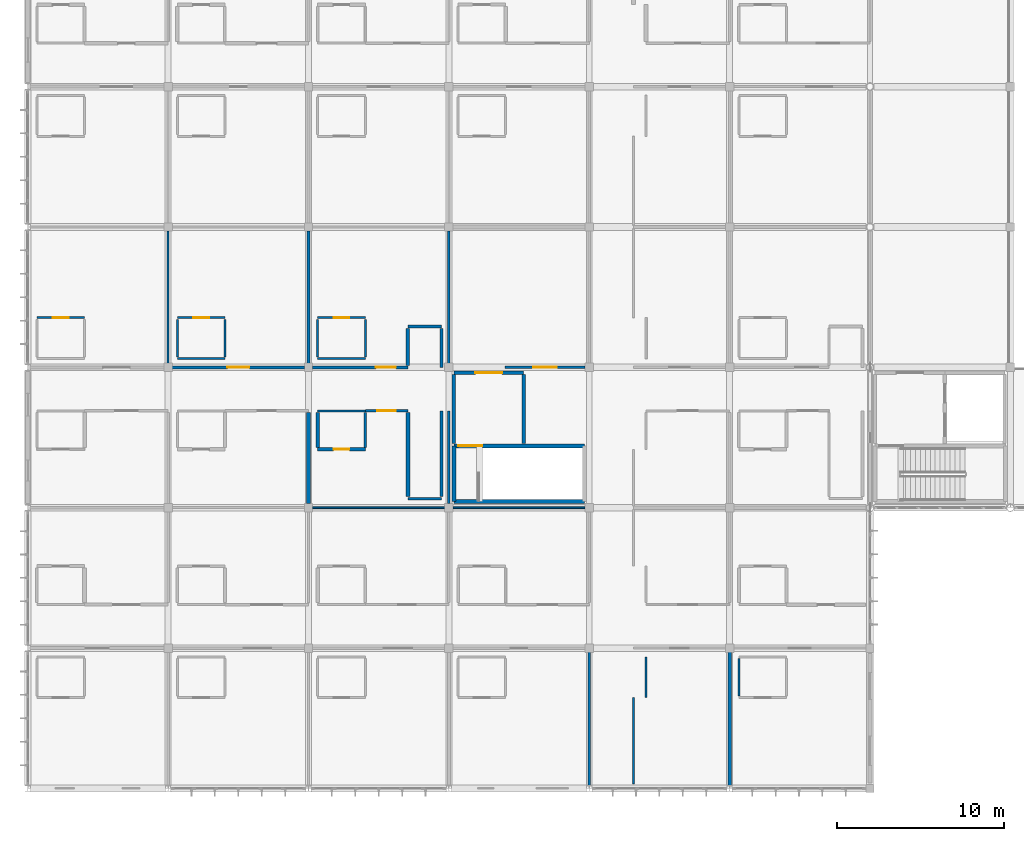
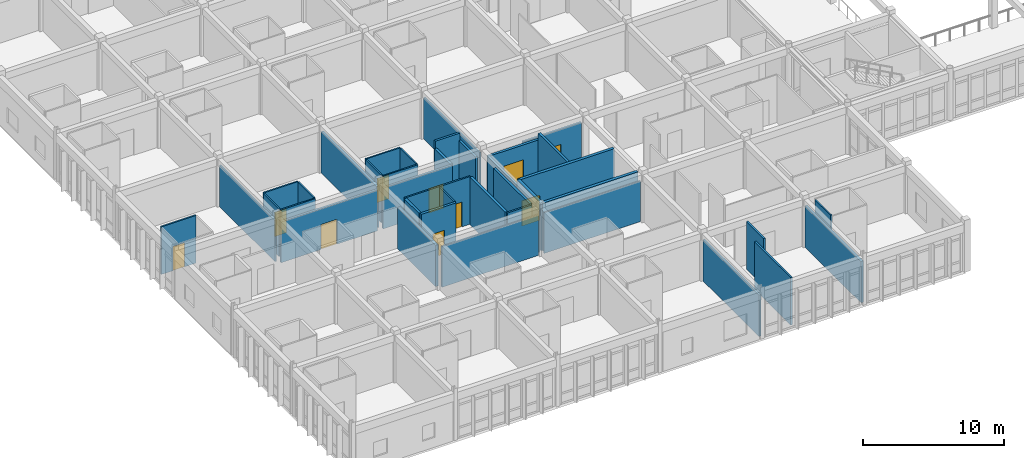
# One storey, part 97 of 144: 41 walls, 10 doors, 10 openings.
"""IFC4 building model written with IfcOpenShell, lengths in metres."""

from ifc_helpers import new_model, si_unit, direction, frame, frame_2d, origin, place, context, subcontext, project, spatial, rectangle, extrude, material, layer, layer_set, type_object, element, fill, save


model = new_model("IFC4")

# Units and contexts
model_context = context("Model", 3, precision=1e-05, world=origin(), true_north=direction((0.0, 1.0)))
body_context = subcontext(model_context, "Body", "Model", "MODEL_VIEW")
ifc_project = project(units=[si_unit("LENGTHUNIT", "METRE"), si_unit("AREAUNIT", "SQUARE_METRE"), si_unit("VOLUMEUNIT", "CUBIC_METRE"), si_unit("PLANEANGLEUNIT", "RADIAN"), si_unit("MASSUNIT", "GRAM", prefix="KILO")], contexts=[model_context])

# Site, building, storey
site_placement = place(None, origin())
site = spatial("IfcSite", under=ifc_project, at=site_placement, CompositionType="ELEMENT")
building_placement = place(site_placement, origin())
building = spatial("IfcBuilding", under=site, at=building_placement, Name="Bramfleet General Hospital", CompositionType="ELEMENT")
storey_placement = place(building_placement, frame((0.0, 0.0, 4.800048828125)))
storey = spatial("IfcBuildingStorey", under=building, at=storey_placement, Name="L01", CompositionType="ELEMENT", Elevation=4.800048828125)

# Walls
ifc_material_1 = material(Name="Concrete C35/45", Category="concrete")
ifc_layer_1 = layer(ifc_material_1, 0.219970703125, Name="WT-IW-01")
ifc_layer_set_1 = layer_set([ifc_layer_1], Name="Concrete C35/45")
wall_type_1 = type_object("IfcWallType", Name="WT-IW-01", PredefinedType="PARTITIONING", material=ifc_layer_set_1)
wall_1_placement = place(storey_placement, frame((16.800048828125, 17.044921875, 0.0), z_axis=(0.0, 0.0, 1.0), x_axis=(0.0, 1.0, 0.0)))
element("IfcWall", 1, at=wall_1_placement, inside=storey, type_object=wall_type_1, Name="L01 Interior Partition IW-L01-1621", PredefinedType="PARTITIONING", context=body_context, shape_type="SweptSolid", body=[
    extrude(rectangle(XDim=5.440185546875, YDim=0.219970703125, at=frame_2d((2.72021484375, 0.0))), origin(), (0.0, 0.0, 1.0), 3.58984375),
])
wall_2_placement = place(storey_placement, frame((22.75, 17.465087890625, 0.0), z_axis=(0.0, 0.0, 1.0), x_axis=(0.0, 1.0, 0.0)))
element("IfcWall", 2, at=wall_2_placement, inside=storey, type_object=wall_type_1, Name="L01 Interior Partition IW-L01-1645", PredefinedType="PARTITIONING", context=body_context, shape_type="SweptSolid", body=[
    extrude(rectangle(XDim=5.02001953125, YDim=0.219970703125, at=frame_2d((2.510009765625, 0.0))), origin(), (0.0, 0.0, 1.0), 4.139892578125),
])
ifc_layer_2 = layer(ifc_material_1, 0.205078125, Name="WT-IW-02")
ifc_layer_set_2 = layer_set([ifc_layer_2], Name="Concrete C35/45")
wall_type_2 = type_object("IfcWallType", Name="WT-IW-02", PredefinedType="PARTITIONING", material=ifc_layer_set_2)
wall_3_placement = place(storey_placement, frame((29.679931640625, 20.639892578125, 0.0), z_axis=(0.0, 0.0, 1.0), x_axis=(0.0, 1.0, 0.0)))
element("IfcWall", 3, at=wall_3_placement, inside=storey, type_object=wall_type_2, Name="L01 C7 Lobby East Shaft Wall", PredefinedType="PARTITIONING", context=body_context, shape_type="SweptSolid", body=[
    extrude(rectangle(XDim=4.1201171875, YDim=0.205078125, at=frame_2d((2.06005859375, 0.0))), origin(), (0.0, 0.0, 1.0), 4.139892578125),
])
wall_4_placement = place(storey_placement, frame((25.5, 20.639892578125, 0.0), z_axis=(0.0, 0.0, 1.0), x_axis=(0.0, 1.0, 0.0)))
element("IfcWall", 4, at=wall_4_placement, inside=storey, type_object=wall_type_2, Name="L01 C7 Lobby West Compartment Wall", PredefinedType="PARTITIONING", context=body_context, shape_type="SweptSolid", body=[
    extrude(rectangle(XDim=4.1201171875, YDim=0.205078125, at=frame_2d((2.06005859375, 0.0))), origin(), (0.0, 0.0, 1.0), 3.58984375),
])

# Wall, opening, door
wall_5_placement = place(storey_placement, frame((25.5, 24.8798828125, 0.0), z_axis=(0.0, 0.0, 1.0), x_axis=(1.0, 0.0, 0.0)))
wall_5 = element("IfcWall", 5, at=wall_5_placement, inside=storey, type_object=wall_type_2, Name="L01 C7 Lobby North Compartment Wall", PredefinedType="PARTITIONING", context=body_context, shape_type="SweptSolid", body=[
    extrude(rectangle(XDim=4.179931640625, YDim=0.205078125, at=frame_2d((2.08984375, 0.0))), origin(), (0.0, 0.0, 1.0), 3.5400390625),
])
opening_1_placement = place(wall_5_placement, frame((1.2900390625, 0.0, 0.0)))
opening_1 = element("IfcOpeningElement", 6, at=opening_1_placement, cuts=wall_5, Name="Opening D0096", PredefinedType="OPENING", context=body_context, shape_type="SweptSolid", body=[
    extrude(rectangle(XDim=1.60009765625, YDim=2.25, at=frame_2d((0.800048828125, 1.125))), frame((0.0, 0.112548828125, 0.0), z_axis=(0.0, -1.0, 0.0), x_axis=(1.0, 0.0, 0.0)), (0.0, 0.0, 1.0), 0.22509765625),
])
ifc_material_2 = material(Name="Stainless steel and acoustic timber leaf", Category="steel")
door_type_1 = type_object("IfcDoorType", Name="DR-D-04", OperationType="NOTDEFINED", PredefinedType="DOOR", material=ifc_material_2)
door_1_placement = place(opening_1_placement, origin())
door_1 = element("IfcDoor", 7, at=door_1_placement, inside=storey, type_object=door_type_1, Name="L01 C7 Lobby Fire Door D0096", OperationType="DOUBLE_SWING_LEFT", OverallHeight=2.25, OverallWidth=1.60009765625, PredefinedType="DOOR", context=body_context, shape_type="SweptSolid", body=[
    extrude(rectangle(XDim=1.60009765625, YDim=2.25, at=frame_2d((0.800048828125, 1.125))), frame((0.0, 0.02490234375, 0.0), z_axis=(0.0, -1.0, 0.0), x_axis=(1.0, 0.0, 0.0)), (0.0, 0.0, 1.0), 0.050048828125),
])
fill(opening_1, door_1)

wall_6_placement = place(storey_placement, frame((17.35009765625, 20.300048828125, 0.0), z_axis=(0.0, 0.0, 1.0), x_axis=(1.0, 0.0, 0.0)))
wall_6 = element("IfcWall", 8, at=wall_6_placement, inside=storey, type_object=wall_type_2, Name="L01 Interior Partition IW-L01-1286", PredefinedType="PARTITIONING", context=body_context, shape_type="SweptSolid", body=[
    extrude(rectangle(XDim=2.849853515625, YDim=0.205078125, at=frame_2d((1.4248046875, 0.0))), origin(), (0.0, 0.0, 1.0), 4.139892578125),
])
opening_2_placement = place(wall_6_placement, frame((0.949951171875, 0.0, 0.0)))
opening_2 = element("IfcOpeningElement", 9, at=opening_2_placement, cuts=wall_6, Name="Opening D0652", PredefinedType="OPENING", context=body_context, shape_type="SweptSolid", body=[
    extrude(rectangle(XDim=0.949951171875, YDim=2.10009765625, at=frame_2d((0.47509765625, 1.050048828125))), frame((0.0, 0.112548828125, 0.0), z_axis=(0.0, -1.0, 0.0), x_axis=(1.0, 0.0, 0.0)), (0.0, 0.0, 1.0), 0.22509765625),
])
door_type_2 = type_object("IfcDoorType", Name="DR-D-10", OperationType="NOTDEFINED", PredefinedType="DOOR", material=ifc_material_2)
door_2_placement = place(opening_2_placement, origin())
door_2 = element("IfcDoor", 10, at=door_2_placement, inside=storey, type_object=door_type_2, Name="Observation En-Suite Bathroom L01-0202 Door D0652", OperationType="SINGLE_SWING_LEFT", OverallHeight=2.10009765625, OverallWidth=0.949951171875, PredefinedType="DOOR", context=body_context, shape_type="SweptSolid", body=[
    extrude(rectangle(XDim=0.949951171875, YDim=2.10009765625, at=frame_2d((0.47509765625, 1.050048828125))), frame((0.0, 0.02490234375, 0.0), z_axis=(0.0, -1.0, 0.0), x_axis=(1.0, 0.0, 0.0)), (0.0, 0.0, 1.0), 0.050048828125),
])
fill(opening_2, door_2)

# Walls
wall_7_placement = place(storey_placement, frame((16.800048828125, 25.445068359375, 0.0), z_axis=(0.0, 0.0, 1.0), x_axis=(0.0, 1.0, 0.0)))
element("IfcWall", 11, at=wall_7_placement, inside=storey, type_object=wall_type_2, Name="L01 Interior Partition IW-L01-1622", PredefinedType="PARTITIONING", context=body_context, shape_type="SweptSolid", body=[
    extrude(rectangle(XDim=7.909912109375, YDim=0.205078125, at=frame_2d((3.955078125, 0.0))), origin(), (0.0, 0.0, 1.0), 3.58984375),
])
wall_8_placement = place(storey_placement, frame((22.75, 25.31494140625, 0.0), z_axis=(0.0, 0.0, 1.0), x_axis=(0.0, 1.0, 0.0)))
element("IfcWall", 12, at=wall_8_placement, inside=storey, type_object=wall_type_2, Name="L01 Interior Partition IW-L01-1646", PredefinedType="PARTITIONING", context=body_context, shape_type="SweptSolid", body=[
    extrude(rectangle(XDim=2.219970703125, YDim=0.205078125, at=frame_2d((1.10986328125, 0.0))), origin(), (0.0, 0.0, 1.0), 3.5400390625),
])
wall_9_placement = place(storey_placement, frame((42.0, 0.175048828125, 0.0), z_axis=(0.0, 0.0, 1.0), x_axis=(0.0, 1.0, 0.0)))
element("IfcWall", 13, at=wall_9_placement, inside=storey, type_object=wall_type_2, Name="L01 Interior Partition IW-L01-1706", PredefinedType="PARTITIONING", context=body_context, shape_type="SweptSolid", body=[
    extrude(rectangle(XDim=7.97998046875, YDim=0.205078125, at=frame_2d((3.989990234375, 0.0))), origin(), (0.0, 0.0, 1.0), 3.58984375),
])
ifc_layer_3 = layer(ifc_material_1, 0.18994140625, Name="WT-IW-03")
ifc_layer_set_3 = layer_set([ifc_layer_3], Name="Concrete C35/45")
wall_type_3 = type_object("IfcWallType", Name="WT-IW-03", PredefinedType="PARTITIONING", material=ifc_layer_set_3)
wall_10_placement = place(storey_placement, frame((17.35009765625, 20.4150390625, 0.0), z_axis=(0.0, 0.0, 1.0), x_axis=(0.0, 1.0, 0.0)))
element("IfcWall", 14, at=wall_10_placement, inside=storey, type_object=wall_type_3, Name="L01 Interior Partition IW-L01-1635", PredefinedType="PARTITIONING", context=body_context, shape_type="SweptSolid", body=[
    extrude(rectangle(XDim=2.070068359375, YDim=0.18994140625, at=frame_2d((1.03515625, 0.0))), origin(), (0.0, 0.0, 1.0), 4.139892578125),
])
wall_11_placement = place(storey_placement, frame((24.75, 17.465087890625, 0.0), z_axis=(0.0, 0.0, 1.0), x_axis=(0.0, 1.0, 0.0)))
element("IfcWall", 15, at=wall_11_placement, inside=storey, type_object=wall_type_3, Name="L01 Interior Partition IW-L01-1647", PredefinedType="PARTITIONING", context=body_context, shape_type="SweptSolid", body=[
    extrude(rectangle(XDim=5.135009765625, YDim=0.18994140625, at=frame_2d((2.5673828125, 0.0))), origin(), (0.0, 0.0, 1.0), 4.139892578125),
])

# Wall, opening, door
ifc_layer_4 = layer(ifc_material_1, 0.179931640625, Name="WT-IW-04")
ifc_layer_set_4 = layer_set([ifc_layer_4], Name="Concrete C35/45")
wall_type_4 = type_object("IfcWallType", Name="WT-IW-04", PredefinedType="PARTITIONING", material=ifc_layer_set_4)
wall_12_placement = place(storey_placement, frame((8.64501953125, 25.199951171875, 0.0), z_axis=(0.0, 0.0, 1.0), x_axis=(1.0, 0.0, 0.0)))
wall_12 = element("IfcWall", 16, at=wall_12_placement, inside=storey, type_object=wall_type_4, Name="L01 Interior Partition IW-L01-1312", PredefinedType="PARTITIONING", context=body_context, shape_type="SweptSolid", body=[
    extrude(rectangle(XDim=7.909912109375, YDim=0.179931640625, at=frame_2d((3.955078125, 0.0))), origin(), (0.0, 0.0, 1.0), 3.5400390625),
])
opening_3_placement = place(wall_12_placement, frame((3.294921875, 0.0, 0.0)))
opening_3 = element("IfcOpeningElement", 17, at=opening_3_placement, cuts=wall_12, Name="Opening D0632", PredefinedType="OPENING", context=body_context, shape_type="SweptSolid", body=[
    extrude(rectangle(XDim=1.320068359375, YDim=2.179931640625, at=frame_2d((0.66015625, 1.08984375))), frame((0.0, 0.099853515625, 0.0), z_axis=(0.0, -1.0, 0.0), x_axis=(1.0, 0.0, 0.0)), (0.0, 0.0, 1.0), 0.199951171875),
])
door_type_3 = type_object("IfcDoorType", Name="DR-D-24", OperationType="NOTDEFINED", PredefinedType="DOOR", material=ifc_material_2)
door_3_placement = place(opening_3_placement, origin())
door_3 = element("IfcDoor", 18, at=door_3_placement, inside=storey, type_object=door_type_3, Name="Emergency Observation Ward Room L01-0103 Door D0632", OperationType="SINGLE_SWING_LEFT", OverallHeight=2.179931640625, OverallWidth=1.320068359375, PredefinedType="DOOR", context=body_context, shape_type="SweptSolid", body=[
    extrude(rectangle(XDim=1.320068359375, YDim=2.179931640625, at=frame_2d((0.66015625, 1.08984375))), frame((0.0, 0.02490234375, 0.0), z_axis=(0.0, -1.0, 0.0), x_axis=(1.0, 0.0, 0.0)), (0.0, 0.0, 1.0), 0.050048828125),
])
fill(opening_3, door_3)

# Walls
wall_13_placement = place(storey_placement, frame((22.75, 27.64990234375, 0.0), z_axis=(0.0, 0.0, 1.0), x_axis=(1.0, 0.0, 0.0)))
element("IfcWall", 19, at=wall_13_placement, inside=storey, type_object=wall_type_4, Name="L01 Interior Partition IW-L01-1324", PredefinedType="PARTITIONING", context=body_context, shape_type="SweptSolid", body=[
    extrude(rectangle(XDim=2.0, YDim=0.179931640625, at=frame_2d((1.0, 0.0))), origin(), (0.0, 0.0, 1.0), 4.139892578125),
])
wall_14_placement = place(storey_placement, frame((24.75, 25.199951171875, 0.0), z_axis=(0.0, 0.0, 1.0), x_axis=(0.0, 1.0, 0.0)))
element("IfcWall", 20, at=wall_14_placement, inside=storey, type_object=wall_type_4, Name="L01 Interior Partition IW-L01-1648", PredefinedType="PARTITIONING", context=body_context, shape_type="SweptSolid", body=[
    extrude(rectangle(XDim=2.3349609375, YDim=0.179931640625, at=frame_2d((1.16748046875, 0.0))), origin(), (0.0, 0.0, 1.0), 3.5400390625),
])

# Wall, opening, door
ifc_material_3 = material(Name="Gypsum plasterboard on acoustic steel studs", Category="steel")
ifc_layer_5 = layer(ifc_material_3, 0.169921875, Name="WT-IW-05")
ifc_layer_set_5 = layer_set([ifc_layer_5], Name="Gypsum plasterboard on acoustic steel studs")
wall_type_5 = type_object("IfcWallType", Name="WT-IW-05", PredefinedType="PARTITIONING", material=ifc_layer_set_5)
wall_15_placement = place(storey_placement, frame((17.044921875, 25.199951171875, 0.0), z_axis=(0.0, 0.0, 1.0), x_axis=(1.0, 0.0, 0.0)))
wall_15 = element("IfcWall", 21, at=wall_15_placement, inside=storey, type_object=wall_type_5, Name="L01 Interior Partition IW-L01-1313", PredefinedType="PARTITIONING", context=body_context, shape_type="SweptSolid", body=[
    extrude(rectangle(XDim=5.705078125, YDim=0.169921875, at=frame_2d((2.8525390625, 0.0))), origin(), (0.0, 0.0, 1.0), 3.5400390625),
])
opening_4_placement = place(wall_15_placement, frame((3.78271484375, 0.0, 0.0)))
opening_4 = element("IfcOpeningElement", 22, at=opening_4_placement, cuts=wall_15, Name="Opening D0653", PredefinedType="OPENING", context=body_context, shape_type="SweptSolid", body=[
    extrude(rectangle(XDim=1.199951171875, YDim=2.14990234375, at=frame_2d((0.60009765625, 1.074951171875))), frame((0.0, 0.094970703125, 0.0), z_axis=(0.0, -1.0, 0.0), x_axis=(1.0, 0.0, 0.0)), (0.0, 0.0, 1.0), 0.18994140625),
])
door_type_4 = type_object("IfcDoorType", Name="DR-D-13", OperationType="NOTDEFINED", PredefinedType="DOOR", material=ifc_material_2)
door_4_placement = place(opening_4_placement, origin())
door_4 = element("IfcDoor", 23, at=door_4_placement, inside=storey, type_object=door_type_4, Name="Emergency Observation Ward Room L01-0203 Door D0653", OperationType="SINGLE_SWING_RIGHT", OverallHeight=2.14990234375, OverallWidth=1.199951171875, PredefinedType="DOOR", context=body_context, shape_type="SweptSolid", body=[
    extrude(rectangle(XDim=1.199951171875, YDim=2.14990234375, at=frame_2d((0.60009765625, 1.074951171875))), frame((0.0, 0.02490234375, 0.0), z_axis=(0.0, -1.0, 0.0), x_axis=(1.0, 0.0, 0.0)), (0.0, 0.0, 1.0), 0.050048828125),
])
fill(opening_4, door_4)

ifc_layer_6 = layer(ifc_material_3, 0.159912109375, Name="WT-IW-06")
ifc_layer_set_6 = layer_set([ifc_layer_6], Name="Gypsum plasterboard on acoustic steel studs")
wall_type_6 = type_object("IfcWallType", Name="WT-IW-06", PredefinedType="PARTITIONING", material=ifc_layer_set_6)
wall_16_placement = place(storey_placement, frame((28.550048828125, 25.199951171875, 0.0), z_axis=(0.0, 0.0, 1.0), x_axis=(1.0, 0.0, 0.0)))
wall_16 = element("IfcWall", 24, at=wall_16_placement, inside=storey, type_object=wall_type_6, Name="L01 Interior Partition IW-L01-1314", PredefinedType="PARTITIONING", context=body_context, shape_type="SweptSolid", body=[
    extrude(rectangle(XDim=4.804931640625, YDim=0.159912109375, at=frame_2d((2.40234375, 0.0))), origin(), (0.0, 0.0, 1.0), 3.5400390625),
])
opening_5_placement = place(wall_16_placement, frame((1.71240234375, 0.0, 0.0)))
opening_5 = element("IfcOpeningElement", 25, at=opening_5_placement, cuts=wall_16, Name="Opening D0670", PredefinedType="OPENING", context=body_context, shape_type="SweptSolid", body=[
    extrude(rectangle(XDim=1.3798828125, YDim=2.219970703125, at=frame_2d((0.68994140625, 1.10986328125))), frame((0.0, 0.08984375, 0.0), z_axis=(0.0, -1.0, 0.0), x_axis=(1.0, 0.0, 0.0)), (0.0, 0.0, 1.0), 0.179931640625),
])
door_type_5 = type_object("IfcDoorType", Name="DR-D-30", OperationType="NOTDEFINED", PredefinedType="DOOR", material=ifc_material_2)
door_5_placement = place(opening_5_placement, origin())
door_5 = element("IfcDoor", 26, at=door_5_placement, inside=storey, type_object=door_type_5, Name="Emergency Observation Ward Room L01-0303 Door D0670", OperationType="SINGLE_SWING_LEFT", OverallHeight=2.219970703125, OverallWidth=1.3798828125, PredefinedType="DOOR", context=body_context, shape_type="SweptSolid", body=[
    extrude(rectangle(XDim=1.3798828125, YDim=2.219970703125, at=frame_2d((0.68994140625, 1.10986328125))), frame((0.0, 0.02490234375, 0.0), z_axis=(0.0, -1.0, 0.0), x_axis=(1.0, 0.0, 0.0)), (0.0, 0.0, 1.0), 0.050048828125),
])
fill(opening_5, door_5)

# Walls
wall_17_placement = place(storey_placement, frame((33.60009765625, 0.175048828125, 0.0), z_axis=(0.0, 0.0, 1.0), x_axis=(0.0, 1.0, 0.0)))
element("IfcWall", 27, at=wall_17_placement, inside=storey, type_object=wall_type_6, Name="L01 Interior Partition IW-L01-1674", PredefinedType="PARTITIONING", context=body_context, shape_type="SweptSolid", body=[
    extrude(rectangle(XDim=7.97998046875, YDim=0.159912109375, at=frame_2d((3.989990234375, 0.0))), origin(), (0.0, 0.0, 1.0), 3.58984375),
])
ifc_layer_7 = layer(ifc_material_3, 0.14990234375, Name="WT-IW-07")
ifc_layer_set_7 = layer_set([ifc_layer_7], Name="Gypsum plasterboard on acoustic steel studs")
wall_type_7 = type_object("IfcWallType", Name="WT-IW-07", PredefinedType="PARTITIONING", material=ifc_layer_set_7)
wall_18_placement = place(storey_placement, frame((22.75, 17.35009765625, 0.0), z_axis=(0.0, 0.0, 1.0), x_axis=(1.0, 0.0, 0.0)))
element("IfcWall", 28, at=wall_18_placement, inside=storey, type_object=wall_type_7, Name="L01 Interior Partition IW-L01-1279", PredefinedType="PARTITIONING", context=body_context, shape_type="SweptSolid", body=[
    extrude(rectangle(XDim=2.0, YDim=0.14990234375, at=frame_2d((1.0, 0.0))), origin(), (0.0, 0.0, 1.0), 4.139892578125),
])
wall_19_placement = place(storey_placement, frame((25.199951171875, 17.044921875, 0.0), z_axis=(0.0, 0.0, 1.0), x_axis=(0.0, 1.0, 0.0)))
element("IfcWall", 29, at=wall_19_placement, inside=storey, type_object=wall_type_7, Name="L01 Interior Partition IW-L01-1651", PredefinedType="PARTITIONING", context=body_context, shape_type="SweptSolid", body=[
    extrude(rectangle(XDim=5.55517578125, YDim=0.14990234375, at=frame_2d((2.777587890625, 0.0))), origin(), (0.0, 0.0, 1.0), 3.58984375),
])
ifc_layer_8 = layer(ifc_material_3, 0.139892578125, Name="WT-IW-08")
ifc_layer_set_8 = layer_set([ifc_layer_8], Name="Gypsum plasterboard on acoustic steel studs")
wall_type_8 = type_object("IfcWallType", Name="WT-IW-08", PredefinedType="PARTITIONING", material=ifc_layer_set_8)
wall_20_placement = place(storey_placement, frame((25.199951171875, 25.445068359375, 0.0), z_axis=(0.0, 0.0, 1.0), x_axis=(0.0, 1.0, 0.0)))
element("IfcWall", 30, at=wall_20_placement, inside=storey, type_object=wall_type_8, Name="L01 Interior Partition IW-L01-1652", PredefinedType="PARTITIONING", context=body_context, shape_type="SweptSolid", body=[
    extrude(rectangle(XDim=7.909912109375, YDim=0.139892578125, at=frame_2d((3.955078125, 0.0))), origin(), (0.0, 0.0, 1.0), 3.58984375),
])
wall_21_placement = place(storey_placement, frame((36.25, 0.280029296875, 0.0), z_axis=(0.0, 0.0, 1.0), x_axis=(0.0, 1.0, 0.0)))
element("IfcWall", 31, at=wall_21_placement, inside=storey, type_object=wall_type_8, Name="L01 Interior Partition IW-L01-1688", PredefinedType="PARTITIONING", context=body_context, shape_type="SweptSolid", body=[
    extrude(rectangle(XDim=5.14990234375, YDim=0.139892578125, at=frame_2d((2.574951171875, 0.0))), origin(), (0.0, 0.0, 1.0), 4.139892578125),
])
wall_22_placement = place(storey_placement, frame((37.0, 5.429931640625, 0.0), z_axis=(0.0, 0.0, 1.0), x_axis=(0.0, 1.0, 0.0)))
element("IfcWall", 32, at=wall_22_placement, inside=storey, type_object=wall_type_8, Name="L01 Interior Partition IW-L01-1700", PredefinedType="PARTITIONING", context=body_context, shape_type="SweptSolid", body=[
    extrude(rectangle(XDim=2.449951171875, YDim=0.139892578125, at=frame_2d((1.22509765625, 0.0))), origin(), (0.0, 0.0, 1.0), 4.139892578125),
])

# Wall, opening, door
ifc_layer_9 = layer(ifc_material_3, 0.1298828125, Name="WT-IW-09")
ifc_layer_set_9 = layer_set([ifc_layer_9], Name="Gypsum plasterboard on acoustic steel studs")
wall_type_9 = type_object("IfcWallType", Name="WT-IW-09", PredefinedType="PARTITIONING", material=ifc_layer_set_9)
wall_23_placement = place(storey_placement, frame((20.199951171875, 22.60009765625, 0.0), z_axis=(0.0, 0.0, 1.0), x_axis=(1.0, 0.0, 0.0)))
wall_23 = element("IfcWall", 33, at=wall_23_placement, inside=storey, type_object=wall_type_9, Name="L01 Interior Partition IW-L01-1293", PredefinedType="PARTITIONING", context=body_context, shape_type="SweptSolid", body=[
    extrude(rectangle(XDim=2.550048828125, YDim=0.1298828125, at=frame_2d((1.27490234375, 0.0))), origin(), (0.0, 0.0, 1.0), 4.139892578125),
])
opening_6_placement = place(wall_23_placement, frame((0.72509765625, 0.0, 0.0)))
opening_6 = element("IfcOpeningElement", 34, at=opening_6_placement, cuts=wall_23, Name="Opening D0651", PredefinedType="OPENING", context=body_context, shape_type="SweptSolid", body=[
    extrude(rectangle(XDim=1.10009765625, YDim=2.14990234375, at=frame_2d((0.550048828125, 1.074951171875))), frame((0.0, 0.074951171875, 0.0), z_axis=(0.0, -1.0, 0.0), x_axis=(1.0, 0.0, 0.0)), (0.0, 0.0, 1.0), 0.14990234375),
])
door_type_6 = type_object("IfcDoorType", Name="DR-D-11", OperationType="NOTDEFINED", PredefinedType="DOOR", material=ifc_material_2)
door_6_placement = place(opening_6_placement, origin())
door_6 = element("IfcDoor", 35, at=door_6_placement, inside=storey, type_object=door_type_6, Name="Emergency Observation Ward Room L01-0202 Door D0651", OperationType="SINGLE_SWING_RIGHT", OverallHeight=2.14990234375, OverallWidth=1.10009765625, PredefinedType="DOOR", context=body_context, shape_type="SweptSolid", body=[
    extrude(rectangle(XDim=1.10009765625, YDim=2.14990234375, at=frame_2d((0.550048828125, 1.074951171875))), frame((0.0, 0.02490234375, 0.0), z_axis=(0.0, -1.0, 0.0), x_axis=(1.0, 0.0, 0.0)), (0.0, 0.0, 1.0), 0.050048828125),
])
fill(opening_6, door_6)

# Walls
wall_24_placement = place(storey_placement, frame((8.39990234375, 25.445068359375, 0.0), z_axis=(0.0, 0.0, 1.0), x_axis=(0.0, 1.0, 0.0)))
element("IfcWall", 36, at=wall_24_placement, inside=storey, type_object=wall_type_9, Name="L01 Interior Partition IW-L01-1593", PredefinedType="PARTITIONING", context=body_context, shape_type="SweptSolid", body=[
    extrude(rectangle(XDim=7.909912109375, YDim=0.1298828125, at=frame_2d((3.955078125, 0.0))), origin(), (0.0, 0.0, 1.0), 3.58984375),
])
wall_25_placement = place(storey_placement, frame((20.199951171875, 20.4150390625, 0.0), z_axis=(0.0, 0.0, 1.0), x_axis=(0.0, 1.0, 0.0)))
element("IfcWall", 37, at=wall_25_placement, inside=storey, type_object=wall_type_9, Name="L01 Interior Partition IW-L01-1641", PredefinedType="PARTITIONING", context=body_context, shape_type="SweptSolid", body=[
    extrude(rectangle(XDim=2.070068359375, YDim=0.1298828125, at=frame_2d((1.03515625, 0.0))), origin(), (0.0, 0.0, 1.0), 4.139892578125),
])
ifc_layer_10 = layer(ifc_material_3, 0.1201171875, Name="WT-IW-10")
ifc_layer_set_10 = layer_set([ifc_layer_10], Name="Gypsum plasterboard on acoustic steel studs")
wall_type_10 = type_object("IfcWallType", Name="WT-IW-10", PredefinedType="PARTITIONING", material=ifc_layer_set_10)
wall_26_placement = place(storey_placement, frame((17.35009765625, 22.60009765625, 0.0), z_axis=(0.0, 0.0, 1.0), x_axis=(1.0, 0.0, 0.0)))
element("IfcWall", 38, at=wall_26_placement, inside=storey, type_object=wall_type_10, Name="L01 Interior Partition IW-L01-1292", PredefinedType="PARTITIONING", context=body_context, shape_type="SweptSolid", body=[
    extrude(rectangle(XDim=2.849853515625, YDim=0.1201171875, at=frame_2d((1.4248046875, 0.0))), origin(), (0.0, 0.0, 1.0), 4.139892578125),
])
wall_27_placement = place(storey_placement, frame((8.949951171875, 25.719970703125, 0.0), z_axis=(0.0, 0.0, 1.0), x_axis=(1.0, 0.0, 0.0)))
element("IfcWall", 39, at=wall_27_placement, inside=storey, type_object=wall_type_10, Name="L01 Interior Partition IW-L01-1321", PredefinedType="PARTITIONING", context=body_context, shape_type="SweptSolid", body=[
    extrude(rectangle(XDim=2.85009765625, YDim=0.1201171875, at=frame_2d((1.425048828125, 0.0))), origin(), (0.0, 0.0, 1.0), 4.139892578125),
])
wall_28_placement = place(storey_placement, frame((17.35009765625, 25.719970703125, 0.0), z_axis=(0.0, 0.0, 1.0), x_axis=(1.0, 0.0, 0.0)))
element("IfcWall", 40, at=wall_28_placement, inside=storey, type_object=wall_type_10, Name="L01 Interior Partition IW-L01-1322", PredefinedType="PARTITIONING", context=body_context, shape_type="SweptSolid", body=[
    extrude(rectangle(XDim=2.849853515625, YDim=0.1201171875, at=frame_2d((1.4248046875, 0.0))), origin(), (0.0, 0.0, 1.0), 4.139892578125),
])

# Wall, opening, door
wall_29_placement = place(storey_placement, frame((0.550048828125, 28.169921875, 0.0), z_axis=(0.0, 0.0, 1.0), x_axis=(1.0, 0.0, 0.0)))
wall_29 = element("IfcWall", 41, at=wall_29_placement, inside=storey, type_object=wall_type_10, Name="L01 Interior Partition IW-L01-1326", PredefinedType="PARTITIONING", context=body_context, shape_type="SweptSolid", body=[
    extrude(rectangle(XDim=2.849853515625, YDim=0.1201171875, at=frame_2d((1.4248046875, 0.0))), origin(), (0.0, 0.0, 1.0), 4.139892578125),
])
opening_7_placement = place(wall_29_placement, frame((0.949951171875, 0.0, 0.0)))
opening_7 = element("IfcOpeningElement", 42, at=opening_7_placement, cuts=wall_29, Name="Opening D0613", PredefinedType="OPENING", context=body_context, shape_type="SweptSolid", body=[
    extrude(rectangle(XDim=0.949951171875, YDim=2.10009765625, at=frame_2d((0.47509765625, 1.050048828125))), frame((0.0, 0.070068359375, 0.0), z_axis=(0.0, -1.0, 0.0), x_axis=(1.0, 0.0, 0.0)), (0.0, 0.0, 1.0), 0.14013671875),
])
door_7_placement = place(opening_7_placement, origin())
door_7 = element("IfcDoor", 43, at=door_7_placement, inside=storey, type_object=door_type_2, Name="Observation En-Suite Bathroom L01-0003 Door D0613", OperationType="SINGLE_SWING_LEFT", OverallHeight=2.10009765625, OverallWidth=0.949951171875, PredefinedType="DOOR", context=body_context, shape_type="SweptSolid", body=[
    extrude(rectangle(XDim=0.949951171875, YDim=2.10009765625, at=frame_2d((0.47509765625, 1.050048828125))), frame((0.0, 0.02490234375, 0.0), z_axis=(0.0, -1.0, 0.0), x_axis=(1.0, 0.0, 0.0)), (0.0, 0.0, 1.0), 0.050048828125),
])
fill(opening_7, door_7)

wall_30_placement = place(storey_placement, frame((8.949951171875, 28.169921875, 0.0), z_axis=(0.0, 0.0, 1.0), x_axis=(1.0, 0.0, 0.0)))
wall_30 = element("IfcWall", 44, at=wall_30_placement, inside=storey, type_object=wall_type_10, Name="L01 Interior Partition IW-L01-1327", PredefinedType="PARTITIONING", context=body_context, shape_type="SweptSolid", body=[
    extrude(rectangle(XDim=2.85009765625, YDim=0.1201171875, at=frame_2d((1.425048828125, 0.0))), origin(), (0.0, 0.0, 1.0), 4.139892578125),
])
opening_8_placement = place(wall_30_placement, frame((0.949951171875, 0.0, 0.0)))
opening_8 = element("IfcOpeningElement", 45, at=opening_8_placement, cuts=wall_30, Name="Opening D0633", PredefinedType="OPENING", context=body_context, shape_type="SweptSolid", body=[
    extrude(rectangle(XDim=0.949951171875, YDim=2.10009765625, at=frame_2d((0.47509765625, 1.050048828125))), frame((0.0, 0.070068359375, 0.0), z_axis=(0.0, -1.0, 0.0), x_axis=(1.0, 0.0, 0.0)), (0.0, 0.0, 1.0), 0.14013671875),
])
door_8_placement = place(opening_8_placement, origin())
door_8 = element("IfcDoor", 46, at=door_8_placement, inside=storey, type_object=door_type_2, Name="Observation En-Suite Bathroom L01-0103 Door D0633", OperationType="SINGLE_SWING_LEFT", OverallHeight=2.10009765625, OverallWidth=0.949951171875, PredefinedType="DOOR", context=body_context, shape_type="SweptSolid", body=[
    extrude(rectangle(XDim=0.949951171875, YDim=2.10009765625, at=frame_2d((0.47509765625, 1.050048828125))), frame((0.0, 0.02490234375, 0.0), z_axis=(0.0, -1.0, 0.0), x_axis=(1.0, 0.0, 0.0)), (0.0, 0.0, 1.0), 0.050048828125),
])
fill(opening_8, door_8)

wall_31_placement = place(storey_placement, frame((17.35009765625, 28.169921875, 0.0), z_axis=(0.0, 0.0, 1.0), x_axis=(1.0, 0.0, 0.0)))
wall_31 = element("IfcWall", 47, at=wall_31_placement, inside=storey, type_object=wall_type_10, Name="L01 Interior Partition IW-L01-1328", PredefinedType="PARTITIONING", context=body_context, shape_type="SweptSolid", body=[
    extrude(rectangle(XDim=2.849853515625, YDim=0.1201171875, at=frame_2d((1.4248046875, 0.0))), origin(), (0.0, 0.0, 1.0), 4.139892578125),
])
opening_9_placement = place(wall_31_placement, frame((0.949951171875, 0.0, 0.0)))
opening_9 = element("IfcOpeningElement", 48, at=opening_9_placement, cuts=wall_31, Name="Opening D0654", PredefinedType="OPENING", context=body_context, shape_type="SweptSolid", body=[
    extrude(rectangle(XDim=0.949951171875, YDim=2.10009765625, at=frame_2d((0.47509765625, 1.050048828125))), frame((0.0, 0.070068359375, 0.0), z_axis=(0.0, -1.0, 0.0), x_axis=(1.0, 0.0, 0.0)), (0.0, 0.0, 1.0), 0.14013671875),
])
door_9_placement = place(opening_9_placement, origin())
door_9 = element("IfcDoor", 49, at=door_9_placement, inside=storey, type_object=door_type_2, Name="Observation En-Suite Bathroom L01-0203 Door D0654", OperationType="SINGLE_SWING_LEFT", OverallHeight=2.10009765625, OverallWidth=0.949951171875, PredefinedType="DOOR", context=body_context, shape_type="SweptSolid", body=[
    extrude(rectangle(XDim=0.949951171875, YDim=2.10009765625, at=frame_2d((0.47509765625, 1.050048828125))), frame((0.0, 0.02490234375, 0.0), z_axis=(0.0, -1.0, 0.0), x_axis=(1.0, 0.0, 0.0)), (0.0, 0.0, 1.0), 0.050048828125),
])
fill(opening_9, door_9)

# Walls
for number, where, z_axis, x_axis, name in (
    (50, (8.949951171875, 25.8349609375, 0.0), (0.0, 0.0, 1.0), (0.0, 1.0, 0.0), "L01 Interior Partition IW-L01-1607"),
    (51, (11.800048828125, 25.8349609375, 0.0), (0.0, 0.0, 1.0), (0.0, 1.0, 0.0), "L01 Interior Partition IW-L01-1613"),
    (52, (17.35009765625, 25.8349609375, 0.0), (0.0, 0.0, 1.0), (0.0, 1.0, 0.0), "L01 Interior Partition IW-L01-1636"),
    (53, (20.199951171875, 25.8349609375, 0.0), (0.0, 0.0, 1.0), (0.0, 1.0, 0.0), "L01 Interior Partition IW-L01-1642"),
    (54, (42.550048828125, 5.544921875, 0.0), (0.0, 0.0, 1.0), (0.0, 1.0, 0.0), "L01 Interior Partition IW-L01-1719"),
):
    element("IfcWall", number, at=place(storey_placement, frame(where, z_axis=z_axis, x_axis=x_axis)), inside=storey, type_object=wall_type_10, Name=name, PredefinedType="PARTITIONING", context=body_context, shape_type="SweptSolid", body=[
        extrude(rectangle(XDim=2.219970703125, YDim=0.1201171875, at=frame_2d((1.10986328125, 0.0))), origin(), (0.0, 0.0, 1.0), 4.139892578125),
    ])
ifc_layer_11 = layer(ifc_material_3, 0.112060546875, Name="WT-IW-11")
ifc_layer_set_11 = layer_set([ifc_layer_11], Name="Gypsum plasterboard on acoustic steel studs")
wall_type_11 = type_object("IfcWallType", Name="WT-IW-11", PredefinedType="PARTITIONING", material=ifc_layer_set_11)
wall_32_placement = place(storey_placement, frame((17.044921875, 16.800048828125, 0.0), z_axis=(0.0, 0.0, 1.0), x_axis=(1.0, 0.0, 0.0)))
element("IfcWall", 55, at=wall_32_placement, inside=storey, type_object=wall_type_11, Name="L01 Interior Partition IW-L01-1259", PredefinedType="PARTITIONING", context=body_context, shape_type="SweptSolid", body=[
    extrude(rectangle(XDim=7.91015625, YDim=0.112060546875, at=frame_2d((3.955078125, 0.0))), origin(), (0.0, 0.0, 1.0), 3.5400390625),
])
ifc_layer_12 = layer(ifc_material_3, 0.10009765625, Name="WT-IW-12")
ifc_layer_set_12 = layer_set([ifc_layer_12], Name="Gypsum plasterboard on acoustic steel studs")
wall_type_12 = type_object("IfcWallType", Name="WT-IW-12", PredefinedType="PARTITIONING", material=ifc_layer_set_12)
wall_33_placement = place(storey_placement, frame((25.445068359375, 16.800048828125, 0.0), z_axis=(0.0, 0.0, 1.0), x_axis=(1.0, 0.0, 0.0)))
element("IfcWall", 56, at=wall_33_placement, inside=storey, type_object=wall_type_12, Name="L01 Interior Partition IW-L01-1260", PredefinedType="PARTITIONING", context=body_context, shape_type="SweptSolid", body=[
    extrude(rectangle(XDim=7.909912109375, YDim=0.10009765625, at=frame_2d((3.955078125, 0.0))), origin(), (0.0, 0.0, 1.0), 3.5400390625),
])
ifc_material_4 = material(Name="Concrete C40/50", Category="concrete")
ifc_layer_13 = layer(ifc_material_4, 0.239990234375, Name="WT-SW-240")
ifc_layer_set_13 = layer_set([ifc_layer_13], Name="Concrete C40/50")
wall_type_13 = type_object("IfcWallType", Name="WT-SW-240", PredefinedType="SHEAR", material=ifc_layer_set_13)
wall_34_placement = place(storey_placement, frame((25.5, 17.179931640625, 0.0), z_axis=(0.0, 0.0, 1.0), x_axis=(1.0, 0.0, 0.0)))
element("IfcWall", 57, at=wall_34_placement, inside=storey, type_object=wall_type_13, Name="L01 C7 South Stair Shear Wall", PredefinedType="SHEAR", context=body_context, shape_type="SweptSolid", body=[
    extrude(rectangle(XDim=7.820068359375, YDim=0.239990234375, at=frame_2d((3.91015625, 0.0))), origin(), (0.0, 0.0, 1.0), 4.14990234375),
])
wall_35_placement = place(storey_placement, frame((25.5, 17.179931640625, 0.0), z_axis=(0.0, 0.0, 1.0), x_axis=(0.0, 1.0, 0.0)))
element("IfcWall", 58, at=wall_35_placement, inside=storey, type_object=wall_type_13, Name="L01 C7 West Stair Shear Wall", PredefinedType="SHEAR", context=body_context, shape_type="SweptSolid", body=[
    extrude(rectangle(XDim=3.320068359375, YDim=0.239990234375, at=frame_2d((1.66015625, 0.0))), origin(), (0.0, 0.0, 1.0), 4.14990234375),
])

# Wall, opening, door
wall_36_placement = place(storey_placement, frame((25.5, 20.5, 0.0), z_axis=(0.0, 0.0, 1.0), x_axis=(1.0, 0.0, 0.0)))
wall_36 = element("IfcWall", 59, at=wall_36_placement, inside=storey, type_object=wall_type_13, Name="L01 C7 Stair-Lobby Shear Wall", PredefinedType="SHEAR", context=body_context, shape_type="SweptSolid", body=[
    extrude(rectangle(XDim=7.820068359375, YDim=0.239990234375, at=frame_2d((3.91015625, 0.0))), origin(), (0.0, 0.0, 1.0), 4.14990234375),
])
opening_10_placement = place(wall_36_placement, frame((0.25, 0.0, 0.0)))
opening_10 = element("IfcOpeningElement", 60, at=opening_10_placement, cuts=wall_36, Name="Opening D0095", PredefinedType="OPENING", context=body_context, shape_type="SweptSolid", body=[
    extrude(rectangle(XDim=1.449951171875, YDim=2.199951171875, at=frame_2d((0.72509765625, 1.10009765625))), frame((0.0, 0.1298828125, 0.0), z_axis=(0.0, -1.0, 0.0), x_axis=(1.0, 0.0, 0.0)), (0.0, 0.0, 1.0), 0.260009765625),
])
door_type_7 = type_object("IfcDoorType", Name="DR-D-03", OperationType="NOTDEFINED", PredefinedType="DOOR", material=ifc_material_2)
door_10_placement = place(opening_10_placement, origin())
door_10 = element("IfcDoor", 61, at=door_10_placement, inside=storey, type_object=door_type_7, Name="L01 C7 Escape Stair Fire Door D0095", OperationType="SINGLE_SWING_RIGHT", OverallHeight=2.199951171875, OverallWidth=1.449951171875, PredefinedType="DOOR", context=body_context, shape_type="SweptSolid", body=[
    extrude(rectangle(XDim=1.449951171875, YDim=2.199951171875, at=frame_2d((0.72509765625, 1.10009765625))), frame((0.0, 0.02490234375, 0.0), z_axis=(0.0, -1.0, 0.0), x_axis=(1.0, 0.0, 0.0)), (0.0, 0.0, 1.0), 0.050048828125),
])
fill(opening_10, door_10)

save(model, "model.ifc")
